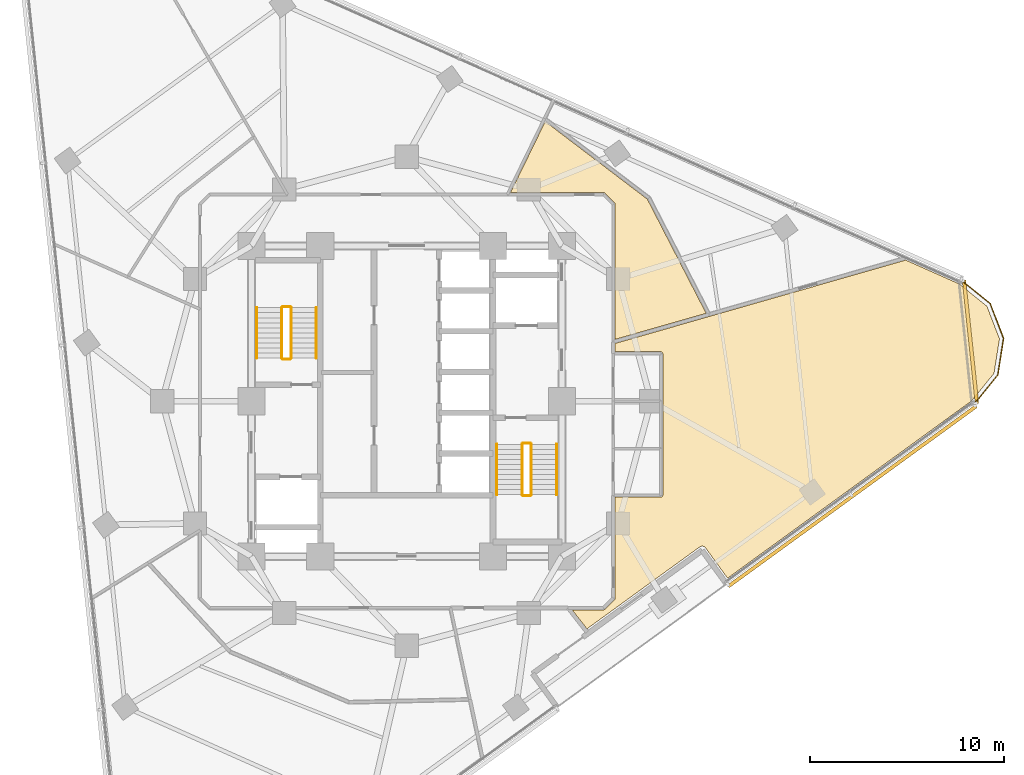
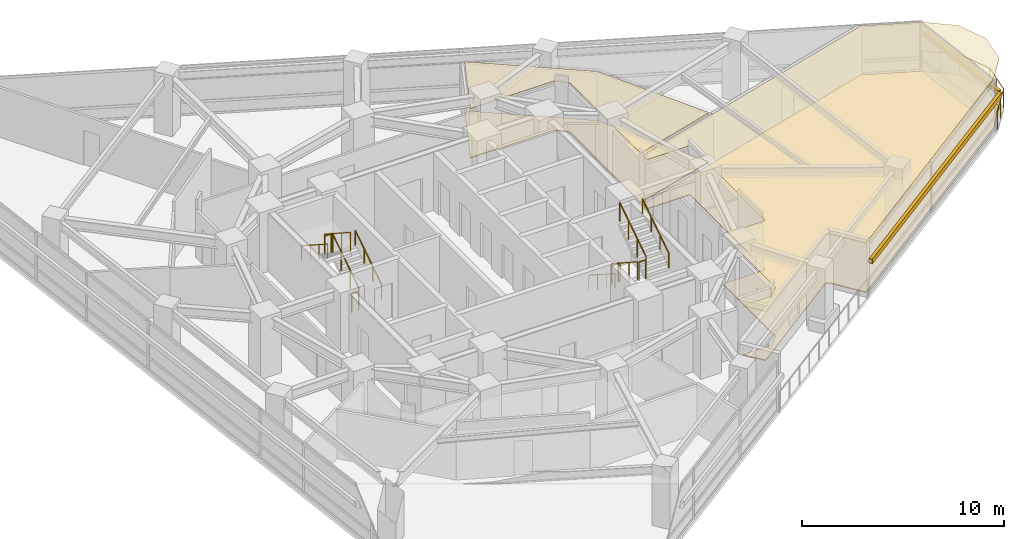
# One storey, part 13 of 14: 13 railings, 4 coverings, 2 shading devices.
"""IFC4 building model written with IfcOpenShell, lengths in metres."""

import ifcopenshell
import ifcopenshell.guid

model = None  # the IFC model being written
_history = None  # IfcOwnerHistory: only IFC2X3 demands one
_inside = {}  # id of a spatial element -> (the spatial element, [elements in it])
_under = {}  # id of a project, library or spatial element -> (it, [spatial elements below it])
_declared = {}  # id of a project -> (the project, [libraries it declares])
_typed = {}  # id of a type object -> (the type object, [elements of that type])
_made_of = {}  # id of a material, layer set ... -> (it, [elements and type objects made of it])


def new_model(schema):
    """Start an empty IFC model of exactly this schema.

    Asked for "IFC4X3", IfcOpenShell would pick the latest addendum, in which some entities
    have other attributes; the version numbers below select the first issue.
    IFC2X3 requires an IfcOwnerHistory on every rooted entity: one is made here for all.
    """
    global model, _history
    if schema == "IFC4X3":
        model = ifcopenshell.file(schema_version=(4, 3, 0, 0))
    else:
        model = ifcopenshell.file(schema=schema)
    _inside.clear()
    _under.clear()
    _declared.clear()
    _typed.clear()
    _made_of.clear()
    _history = None
    if model.schema == "IFC2X3":
        org = make("IfcOrganization", Name="unknown")
        user = make(
            "IfcPersonAndOrganization",
            ThePerson=make("IfcPerson", FamilyName="unknown"),
            TheOrganization=org,
        )
        app = make(
            "IfcApplication",
            ApplicationDeveloper=org,
            Version="unknown",
            ApplicationFullName="unknown",
            ApplicationIdentifier="unknown",
        )
        _history = make(
            "IfcOwnerHistory",
            OwningUser=user,
            OwningApplication=app,
            ChangeAction="ADDED",
            CreationDate=0,
        )
    return model


def make(cls, **values):
    """One entity of the class cls with the attributes given. An attribute that is None is left unset."""
    return model.create_entity(
        cls, **{name: value for name, value in values.items() if value is not None}
    )


def rooted(cls, **values):
    """An entity with a GlobalId (a new one), such as an element, a storey or a relation."""
    return make(cls, GlobalId=ifcopenshell.guid.new(), OwnerHistory=_history, **values)


def si_unit(unit_type, name, prefix=None):
    """IfcSIUnit, for example si_unit("LENGTHUNIT", "METRE", prefix="MILLI")."""
    return make("IfcSIUnit", UnitType=unit_type, Prefix=prefix, Name=name)


def assignment(units):
    """IfcUnitAssignment: the units of a project."""
    return None if units is None else make("IfcUnitAssignment", Units=units)


def point(xyz):
    """IfcCartesianPoint."""
    return None if xyz is None else make("IfcCartesianPoint", Coordinates=xyz)


def direction(xyz):
    """IfcDirection."""
    return None if xyz is None else make("IfcDirection", DirectionRatios=xyz)


def frame(location, z_axis=None, x_axis=None):
    """IfcAxis2Placement3D, a coordinate frame: its origin and axes. An axis left out is left unset."""
    return make(
        "IfcAxis2Placement3D",
        Location=point(location),
        Axis=direction(z_axis),
        RefDirection=direction(x_axis),
    )


def frame_2d(location, x_axis=None):
    """IfcAxis2Placement2D, a coordinate frame in the plane: its origin and x axis."""
    return make(
        "IfcAxis2Placement2D", Location=point(location), RefDirection=direction(x_axis)
    )


def origin():
    """The frame at (0, 0, 0) with its axes left unset."""
    return frame((0.0, 0.0, 0.0))


def origin_2d():
    """The frame at (0, 0) in the plane with its x axis left unset."""
    return frame_2d((0.0, 0.0))


def place(relative_to, where):
    """IfcLocalPlacement: puts the frame where relative to a parent placement (None: the world)."""
    return make(
        "IfcLocalPlacement", PlacementRelTo=relative_to, RelativePlacement=where
    )


def context(
    kind, dimensions, precision=None, world=None, true_north=None, identifier=None
):
    """IfcGeometricRepresentationContext, for example the 3D "Model" context."""
    return make(
        "IfcGeometricRepresentationContext",
        ContextIdentifier=identifier,
        ContextType=kind,
        CoordinateSpaceDimension=dimensions,
        Precision=precision,
        WorldCoordinateSystem=world,
        TrueNorth=true_north,
    )


def subcontext(parent, identifier, kind, view, scale=None):
    """IfcGeometricRepresentationSubContext, for example "Body" below "Model"."""
    return make(
        "IfcGeometricRepresentationSubContext",
        ContextIdentifier=identifier,
        ContextType=kind,
        ParentContext=parent,
        TargetScale=scale,
        TargetView=view,
    )


def project(units=None, contexts=None):
    """IfcProject with its units and contexts."""
    return rooted(
        "IfcProject",
        Name="project",
        RepresentationContexts=contexts,
        UnitsInContext=assignment(units),
    )


def spatial(cls, under=None, at=None, **own):
    """A site, building, storey or space (cls), placed at a placement, below another one or the project."""
    s = rooted(cls, ObjectPlacement=at, **own)
    if under is not None:
        _under.setdefault(under.id(), (under, []))[1].append(s)
    return s


def polyline(points):
    """IfcPolyline through the points."""
    return make("IfcPolyline", Points=[point(p) for p in points])


def profile(cls, at=None, kind="AREA", **sizes):
    """A parametric profile (cls). Its sizes go by their IFC names, for example OverallWidth=200.0."""
    return make(cls, ProfileType=kind, Position=at, **sizes)


def rectangle(**sizes):
    """IfcRectangleProfileDef."""
    return profile("IfcRectangleProfileDef", **sizes)


def circle(**sizes):
    """IfcCircleProfileDef."""
    return profile("IfcCircleProfileDef", **sizes)


def outline(outer, holes=None, kind="AREA"):
    """IfcArbitraryClosedProfileDef: a profile drawn as a closed curve; with holes, ...WithVoids."""
    if holes is None:
        return make("IfcArbitraryClosedProfileDef", ProfileType=kind, OuterCurve=outer)
    return make(
        "IfcArbitraryProfileDefWithVoids",
        ProfileType=kind,
        OuterCurve=outer,
        InnerCurves=holes,
    )


def extrude(swept, where, along, depth):
    """IfcExtrudedAreaSolid: the profile swept, set in the frame where, extruded along a direction by depth."""
    return make(
        "IfcExtrudedAreaSolid",
        SweptArea=swept,
        Position=where,
        ExtrudedDirection=direction(along),
        Depth=depth,
    )


def shape(context_of_items, identifier, shape_type, items):
    """IfcShapeRepresentation: the items that make up one representation, for example the "Body"."""
    return make(
        "IfcShapeRepresentation",
        ContextOfItems=context_of_items,
        RepresentationIdentifier=identifier,
        RepresentationType=shape_type,
        Items=items,
    )


def material(Name=None, Category=None):
    """IfcMaterial."""
    return make("IfcMaterial", Name=Name, Category=Category)


def layer(
    of_material, thickness, ventilated=None, Name=None, Category=None, Priority=None
):
    """IfcMaterialLayer: one layer of a wall or slab, of a material (None: an air gap)."""
    return make(
        "IfcMaterialLayer",
        Material=of_material,
        LayerThickness=thickness,
        IsVentilated=ventilated,
        Name=Name,
        Category=Category,
        Priority=Priority,
    )


def layer_set(layers, Name=None):
    """IfcMaterialLayerSet."""
    return make("IfcMaterialLayerSet", MaterialLayers=layers, LayerSetName=Name)


def made_of(thing, what):
    """Note that an element or type object is made of a material, layer set ...; save() writes the relation."""
    if what is not None:
        _made_of.setdefault(what.id(), (what, []))[1].append(thing)
    return thing


def type_object(cls, material=None, **own):
    """A type object (cls), such as IfcWallType, which elements share."""
    return made_of(rooted(cls, **own), material)


def element(
    cls,
    number,
    at=None,
    inside=None,
    cuts=None,
    type_object=None,
    material=None,
    context=None,
    identifier="Body",
    shape_type=None,
    held_by="IfcProductDefinitionShape",
    body=None,
    shapes=None,
    **own,
):
    """One element of the class cls, such as IfcWall. Its Tag is "e" and its number.

    at: its placement. inside: the storey or other place that contains it. cuts: it is an
    opening in that element (IfcRelVoidsElement). A single representation is given by context,
    identifier, shape_type and body (its items); several are given by shapes. held_by: the class
    of the entity that holds the representations. save() writes the other relations.
    """
    e = rooted(cls, Tag="e%d" % number, ObjectPlacement=at, **own)
    if body is not None:
        shapes = [shape(context, identifier, shape_type, body)]
    if shapes is not None:
        e.Representation = make(held_by, Representations=shapes)
    if inside is not None:
        _inside.setdefault(inside.id(), (inside, []))[1].append(e)
    if cuts is not None:
        rooted(
            "IfcRelVoidsElement", RelatingBuildingElement=cuts, RelatedOpeningElement=e
        )
    if type_object is not None:
        _typed.setdefault(type_object.id(), (type_object, []))[1].append(e)
    return made_of(e, material)


def aggregate(whole, parts):
    """IfcRelAggregates: a whole, such as a stair, and the parts it consists of."""
    return rooted("IfcRelAggregates", RelatingObject=whole, RelatedObjects=parts)


def save(model, path):
    """Write the relations noted so far, then the file.

    IfcRelAggregates (storeys below a building ...), IfcRelContainedInSpatialStructure (elements
    in a storey), IfcRelDefinesByType, IfcRelAssociatesMaterial and IfcRelDeclares: one each for
    every whole, place, type object, material and project.
    """
    for whole, parts in _under.values():
        aggregate(whole, parts)
    for where, things in _inside.values():
        rooted(
            "IfcRelContainedInSpatialStructure",
            RelatedElements=things,
            RelatingStructure=where,
        )
    for kind, things in _typed.values():
        rooted("IfcRelDefinesByType", RelatedObjects=things, RelatingType=kind)
    for what, things in _made_of.values():
        rooted("IfcRelAssociatesMaterial", RelatedObjects=things, RelatingMaterial=what)
    for by, libraries in _declared.values():
        rooted("IfcRelDeclares", RelatingContext=by, RelatedDefinitions=libraries)
    model.write(path)


model = new_model("IFC4")

# Units and contexts
model_context = context("Model", 3, precision=1e-05, world=origin(), true_north=direction((0.0, 1.0)))
body_context = subcontext(model_context, "Body", "Model", "MODEL_VIEW")
ifc_project = project(units=[si_unit("LENGTHUNIT", "METRE"), si_unit("AREAUNIT", "SQUARE_METRE"), si_unit("VOLUMEUNIT", "CUBIC_METRE"), si_unit("PLANEANGLEUNIT", "RADIAN"), si_unit("MASSUNIT", "GRAM", prefix="KILO")], contexts=[model_context])

# Site, building, storey
site_placement = place(None, origin())
site = spatial("IfcSite", under=ifc_project, at=site_placement, CompositionType="ELEMENT")
building_placement = place(site_placement, origin())
building = spatial("IfcBuilding", under=site, at=building_placement, Name="Terralouvre Media Tower", CompositionType="ELEMENT")
storey_placement = place(building_placement, frame((0.0, 0.0, 158.300048828125)))
storey = spatial("IfcBuildingStorey", under=building, at=storey_placement, Name="L40", CompositionType="ELEMENT", Elevation=158.300048828125)

# Coverings
ifc_material_1 = material(Name="Resilient elastomer acoustic broadcast studio flooring")
ifc_layer_1 = layer(ifc_material_1, 0.050048828125, Name="Broadcast Studio Acoustic Floating Floor FL-AC1")
ifc_layer_set_1 = layer_set([ifc_layer_1], Name="Resilient elastomer acoustic broadcast studio flooring")
covering_type_1 = type_object("IfcCoveringType", Name="Broadcast Studio Acoustic Floating Floor FL-AC1", PredefinedType="FLOORING", material=ifc_layer_set_1)
covering_1_placement = place(storey_placement, frame((0.0, 0.0, 0.0), z_axis=(0.0, 0.0, 1.0), x_axis=(0.809016994375, 0.587785252292, 0.0)))
element("IfcCovering", 1, at=covering_1_placement, inside=storey, type_object=covering_type_1, Name="L40 Preview Screening Cinema 5 Acoustic Floating Floor", PredefinedType="FLOORING", context=body_context, shape_type="SweptSolid", body=[
    extrude(outline(polyline([(10.44775390625, -3.908935546875), (10.19580078125, -4.255615234375), (12.096923828125, -5.636962890625), (12.1044921875, -5.64306640625), (12.111572265625, -5.64990234375), (12.117919921875, -5.657470703125), (12.12353515625, -5.665771484375), (12.128173828125, -5.67431640625), (12.132080078125, -5.683349609375), (12.135009765625, -5.692626953125), (12.136962890625, -5.7021484375), (12.137939453125, -5.712158203125), (12.13818359375, -5.7216796875), (12.13720703125, -5.731689453125), (12.135498046875, -5.7412109375), (12.132568359375, -5.750732421875), (12.12890625, -5.759765625), (12.12451171875, -5.7685546875), (12.119140625, -5.776611328125), (7.828369140625, -11.6826171875), (7.822021484375, -11.690185546875), (7.815185546875, -11.697265625), (7.807861328125, -11.703369140625), (7.799560546875, -11.708984375), (7.791015625, -11.713623046875), (7.781982421875, -11.717529296875), (7.772705078125, -11.720458984375), (7.762939453125, -11.722412109375), (7.753173828125, -11.7236328125), (7.743408203125, -11.7236328125), (7.733642578125, -11.72265625), (7.72412109375, -11.720947265625), (7.714599609375, -11.71826171875), (7.70556640625, -11.714599609375), (7.69677734375, -11.7099609375), (7.6884765625, -11.70458984375), (5.787353515625, -10.3232421875), (2.73095703125, -14.5302734375), (2.724853515625, -14.537841796875), (2.718017578125, -14.544921875), (2.71044921875, -14.55126953125), (2.7021484375, -14.556640625), (2.693603515625, -14.561279296875), (2.6845703125, -14.565185546875), (2.67529296875, -14.568115234375), (2.665771484375, -14.570068359375), (1.96728515625, -14.680908203125), (1.95751953125, -14.681884765625), (1.94775390625, -14.681884765625), (1.93798828125, -14.68115234375), (1.92822265625, -14.67919921875), (1.918701171875, -14.676513671875), (1.90966796875, -14.6728515625), (1.901123046875, -14.668212890625), (1.892822265625, -14.662841796875), (0.5791015625, -13.70849609375), (0.62255859375, -14.95556640625), (7.800537109375, -14.955322265625), (7.809326171875, -14.955810546875), (7.82080078125, -14.956787109375), (7.828369140625, -14.957763671875), (7.839599609375, -14.95947265625), (7.843017578125, -14.960205078125), (7.85498046875, -14.962646484375), (7.86279296875, -14.96435546875), (7.870361328125, -14.967041015625), (7.881103515625, -14.97119140625), (7.890380859375, -14.97509765625), (7.901123046875, -14.980712890625), (7.908447265625, -14.984619140625), (7.918701171875, -14.99072265625), (7.925537109375, -14.995361328125), (7.9345703125, -15.001953125), (7.94091796875, -15.007080078125), (7.9501953125, -15.014892578125), (7.9560546875, -15.0205078125), (7.964599609375, -15.029052734375), (7.970703125, -15.035888671875), (7.976318359375, -15.04345703125), (7.98291015625, -15.052978515625), (7.98681640625, -15.059814453125), (7.992919921875, -15.0703125), (7.99462890625, -15.073486328125), (7.999755859375, -15.08349609375), (8.005615234375, -15.096923828125), (8.009521484375, -15.1083984375), (8.010986328125, -15.11328125), (8.01416015625, -15.124267578125), (8.016357421875, -15.133056640625), (8.017578125, -15.14208984375), (8.018798828125, -15.154052734375), (8.019287109375, -15.16064453125), (8.01953125, -15.172119140625), (8.019775390625, -15.17529296875), (8.0205078125, -17.10546875), (23.571044921875, -17.105224609375), (25.335693359375, -16.63232421875), (26.60693359375, -15.36181640625), (27.072509765625, -13.6259765625), (26.598876953125, -11.860595703125), (25.084228515625, -9.236328125), (15.1982421875, -5.63818359375), (10.44775390625, -3.908935546875)])), origin(), (0.0, 0.0, 1.0), 0.050048828125),
])
covering_2_placement = place(storey_placement, frame((0.0, 0.0, 0.0), z_axis=(0.0, 0.0, 1.0), x_axis=(0.809016994375, 0.587785252292, 0.0)))
element("IfcCovering", 2, at=covering_2_placement, inside=storey, type_object=covering_type_1, Name="L40 Acoustic Music Listening Room 7 Acoustic Floating Floor", PredefinedType="FLOORING", context=body_context, shape_type="SweptSolid", body=[
    extrude(outline(polyline([(16.158203125, 1.129150390625), (14.251708984375, 7.46435546875), (10.650146484375, 5.5498046875), (14.5302734375, 2.73095703125), (14.537841796875, 2.724853515625), (14.544921875, 2.718017578125), (14.55126953125, 2.71044921875), (14.556640625, 2.7021484375), (14.561279296875, 2.693603515625), (14.565185546875, 2.6845703125), (14.568115234375, 2.67529296875), (14.570068359375, 2.665771484375), (14.680908203125, 1.96728515625), (14.681884765625, 1.95751953125), (14.681884765625, 1.94775390625), (14.68115234375, 1.93798828125), (14.67919921875, 1.92822265625), (14.676513671875, 1.918701171875), (14.6728515625, 1.90966796875), (14.668212890625, 1.901123046875), (14.662841796875, 1.892822265625), (10.570068359375, -3.740478515625), (15.152099609375, -5.408447265625), (16.158203125, 1.129150390625)])), origin(), (0.0, 0.0, 1.0), 0.050048828125),
])
ifc_material_2 = material(Name="Perforated aluminium acoustic ceiling baffle", Category="aluminium")
ifc_layer_2 = layer(ifc_material_2, 0.0400390625, Name="Perforated Acoustic Metal Tile Ceiling CL-AC1")
ifc_layer_set_2 = layer_set([ifc_layer_2], Name="Perforated aluminium acoustic ceiling baffle")
covering_type_2 = type_object("IfcCoveringType", Name="Perforated Acoustic Metal Tile Ceiling CL-AC1", PredefinedType="CEILING", material=ifc_layer_set_2)
covering_3_placement = place(storey_placement, frame((0.0, 0.0, 2.97998046875), z_axis=(0.0, 0.0, 1.0), x_axis=(0.809016994375, 0.587785252292, 0.0)))
element("IfcCovering", 3, at=covering_3_placement, inside=storey, type_object=covering_type_2, Name="L40 Preview Screening Cinema 5 Acoustic Ceiling", PredefinedType="CEILING", context=body_context, shape_type="SweptSolid", body=[
    extrude(outline(polyline([(10.44775390625, -3.908935546875), (10.19580078125, -4.255615234375), (12.096923828125, -5.636962890625), (12.1044921875, -5.64306640625), (12.111572265625, -5.64990234375), (12.117919921875, -5.657470703125), (12.12353515625, -5.665771484375), (12.128173828125, -5.67431640625), (12.132080078125, -5.683349609375), (12.135009765625, -5.692626953125), (12.136962890625, -5.7021484375), (12.137939453125, -5.712158203125), (12.13818359375, -5.7216796875), (12.13720703125, -5.731689453125), (12.135498046875, -5.7412109375), (12.132568359375, -5.750732421875), (12.12890625, -5.759765625), (12.12451171875, -5.7685546875), (12.119140625, -5.776611328125), (7.828369140625, -11.6826171875), (7.822021484375, -11.690185546875), (7.815185546875, -11.697265625), (7.807861328125, -11.703369140625), (7.799560546875, -11.708984375), (7.791015625, -11.713623046875), (7.781982421875, -11.717529296875), (7.772705078125, -11.720458984375), (7.762939453125, -11.722412109375), (7.753173828125, -11.7236328125), (7.743408203125, -11.7236328125), (7.733642578125, -11.72265625), (7.72412109375, -11.720947265625), (7.714599609375, -11.71826171875), (7.70556640625, -11.714599609375), (7.69677734375, -11.7099609375), (7.6884765625, -11.70458984375), (5.787353515625, -10.3232421875), (2.73095703125, -14.5302734375), (2.724853515625, -14.537841796875), (2.718017578125, -14.544921875), (2.71044921875, -14.55126953125), (2.7021484375, -14.556640625), (2.693603515625, -14.561279296875), (2.6845703125, -14.565185546875), (2.67529296875, -14.568115234375), (2.665771484375, -14.570068359375), (1.96728515625, -14.680908203125), (1.95751953125, -14.681884765625), (1.94775390625, -14.681884765625), (1.93798828125, -14.68115234375), (1.92822265625, -14.67919921875), (1.918701171875, -14.676513671875), (1.90966796875, -14.6728515625), (1.901123046875, -14.668212890625), (1.892822265625, -14.662841796875), (0.5791015625, -13.70849609375), (0.62255859375, -14.95556640625), (7.800537109375, -14.955322265625), (7.809326171875, -14.955810546875), (7.82080078125, -14.956787109375), (7.828369140625, -14.957763671875), (7.839599609375, -14.95947265625), (7.843017578125, -14.960205078125), (7.85498046875, -14.962646484375), (7.86279296875, -14.96435546875), (7.870361328125, -14.967041015625), (7.881103515625, -14.97119140625), (7.890380859375, -14.97509765625), (7.901123046875, -14.980712890625), (7.908447265625, -14.984619140625), (7.918701171875, -14.99072265625), (7.925537109375, -14.995361328125), (7.9345703125, -15.001953125), (7.94091796875, -15.007080078125), (7.9501953125, -15.014892578125), (7.9560546875, -15.0205078125), (7.964599609375, -15.029052734375), (7.970703125, -15.035888671875), (7.976318359375, -15.04345703125), (7.98291015625, -15.052978515625), (7.98681640625, -15.059814453125), (7.992919921875, -15.0703125), (7.99462890625, -15.073486328125), (7.999755859375, -15.08349609375), (8.005615234375, -15.096923828125), (8.009521484375, -15.1083984375), (8.010986328125, -15.11328125), (8.01416015625, -15.124267578125), (8.016357421875, -15.133056640625), (8.017578125, -15.14208984375), (8.018798828125, -15.154052734375), (8.019287109375, -15.16064453125), (8.01953125, -15.172119140625), (8.019775390625, -15.17529296875), (8.0205078125, -17.10546875), (23.571044921875, -17.105224609375), (25.335693359375, -16.63232421875), (26.60693359375, -15.36181640625), (27.072509765625, -13.6259765625), (26.598876953125, -11.860595703125), (25.084228515625, -9.236328125), (15.1982421875, -5.63818359375), (10.44775390625, -3.908935546875)])), origin(), (0.0, 0.0, 1.0), 0.0400390625),
])
covering_4_placement = place(storey_placement, frame((0.0, 0.0, 2.97998046875), z_axis=(0.0, 0.0, 1.0), x_axis=(0.809016994375, 0.587785252292, 0.0)))
element("IfcCovering", 4, at=covering_4_placement, inside=storey, type_object=covering_type_2, Name="L40 Acoustic Music Listening Room 7 Acoustic Ceiling", PredefinedType="CEILING", context=body_context, shape_type="SweptSolid", body=[
    extrude(outline(polyline([(16.158203125, 1.129150390625), (14.251708984375, 7.46435546875), (10.650146484375, 5.5498046875), (14.5302734375, 2.73095703125), (14.537841796875, 2.724853515625), (14.544921875, 2.718017578125), (14.55126953125, 2.71044921875), (14.556640625, 2.7021484375), (14.561279296875, 2.693603515625), (14.565185546875, 2.6845703125), (14.568115234375, 2.67529296875), (14.570068359375, 2.665771484375), (14.680908203125, 1.96728515625), (14.681884765625, 1.95751953125), (14.681884765625, 1.94775390625), (14.68115234375, 1.93798828125), (14.67919921875, 1.92822265625), (14.676513671875, 1.918701171875), (14.6728515625, 1.90966796875), (14.668212890625, 1.901123046875), (14.662841796875, 1.892822265625), (10.570068359375, -3.740478515625), (15.152099609375, -5.408447265625), (16.158203125, 1.129150390625)])), origin(), (0.0, 0.0, 1.0), 0.0400390625),
])

# Railings
ifc_material_3 = material(Name="Stainless steel 316 handrail and balustrade", Category="steel")
ifc_layer_3 = layer(ifc_material_3, 0.06005859375, Name="Roof Edge Safety Guardrail GR-ROOF1")
ifc_layer_set_3 = layer_set([ifc_layer_3], Name="Stainless steel 316 handrail and balustrade")
railing_type_1 = type_object("IfcRailingType", Name="Roof Edge Safety Guardrail GR-ROOF1", PredefinedType="GUARDRAIL", material=ifc_layer_set_3)
railing_1_placement = place(storey_placement, frame((29.261474609375, -0.144775390625, 0.0)))
element("IfcRailing", 5, at=railing_1_placement, inside=storey, type_object=railing_type_1, Name="L40 Wind-Corner Perimeter Safety Guardrail C1", PredefinedType="GUARDRAIL", context=body_context, shape_type="SweptSolid", body=[
    extrude(circle(Radius=0.02099609375, at=origin_2d()), frame((0.0, 0.0, 1.12890625), z_axis=(0.629487951206, 0.777010244004, 0.0), x_axis=(-0.777010244004, 0.629487951206, 0.0)), (0.0, 0.0, 1.0), 1.914794921875),
    extrude(circle(Radius=0.02099609375, at=origin_2d()), frame((1.205322265625, 1.48779296875, 1.12890625), z_axis=(0.156493053434, 0.987679059324, 0.0), x_axis=(-0.987679059324, 0.156493053434, 0.0)), (0.0, 0.0, 1.0), 1.914306640625),
    extrude(circle(Radius=0.02099609375, at=origin_2d()), frame((1.5048828125, 3.37841796875, 1.12890625), z_axis=(-0.358380762009, 0.933575508152, 0.0), x_axis=(-0.933575508152, -0.358380762009, 0.0)), (0.0, 0.0, 1.0), 1.914306640625),
    extrude(circle(Radius=0.02099609375, at=origin_2d()), frame((0.81884765625, 5.16552734375, 1.12890625), z_axis=(-0.777298317119, 0.629132200896, 0.0), x_axis=(-0.629132200896, -0.777298317119, 0.0)), (0.0, 0.0, 1.0), 1.914794921875),
    extrude(circle(Radius=0.01904296875, at=origin_2d()), origin(), (0.0, 0.0, 1.0), 1.10791015625),
    extrude(circle(Radius=0.01904296875, at=origin_2d()), frame((0.6025390625, 0.743896484375, 0.0)), (0.0, 0.0, 1.0), 1.10791015625),
    extrude(circle(Radius=0.01904296875, at=origin_2d()), frame((1.205322265625, 1.48779296875, 0.0)), (0.0, 0.0, 1.0), 1.10791015625),
    extrude(circle(Radius=0.01904296875, at=origin_2d()), frame((1.35498046875, 2.43310546875, 0.0)), (0.0, 0.0, 1.0), 1.10791015625),
    extrude(circle(Radius=0.01904296875, at=origin_2d()), frame((1.5048828125, 3.37841796875, 0.0)), (0.0, 0.0, 1.0), 1.10791015625),
    extrude(circle(Radius=0.01904296875, at=origin_2d()), frame((1.161865234375, 4.27197265625, 0.0)), (0.0, 0.0, 1.0), 1.10791015625),
    extrude(circle(Radius=0.01904296875, at=origin_2d()), frame((0.81884765625, 5.16552734375, 0.0)), (0.0, 0.0, 1.0), 1.10791015625),
    extrude(circle(Radius=0.01904296875, at=origin_2d()), frame((0.07470703125, 5.767822265625, 0.0)), (0.0, 0.0, 1.0), 1.10791015625),
    extrude(circle(Radius=0.01904296875, at=origin_2d()), frame((-0.66943359375, 6.3701171875, 0.0)), (0.0, 0.0, 1.0), 1.10791015625),
])
ifc_material_4 = material(Name="Stainless steel 316 handrail and balustrade", Category="steel")
ifc_layer_4 = layer(ifc_material_4, 0.050048828125, Name="Stair Flight Wall Handrail HR-INT1")
ifc_layer_set_4 = layer_set([ifc_layer_4], Name="Stainless steel 316 handrail and balustrade")
railing_type_2 = type_object("IfcRailingType", Name="Stair Flight Wall Handrail HR-INT1", PredefinedType="HANDRAIL", material=ifc_layer_set_4)
railing_2_placement = place(storey_placement, frame((-4.64990234375, 2.219970703125, 0.168212890625)))
element("IfcRailing", 6, at=railing_2_placement, inside=storey, type_object=railing_type_2, Name="L40 ST-01 stair handrail 1", PredefinedType="HANDRAIL", context=body_context, shape_type="SweptSolid", body=[
    extrude(circle(Radius=0.02392578125, at=origin_2d()), frame((0.0, 0.0, 0.8759765625), z_axis=(0.0, 0.839684365666, 0.543074733399), x_axis=(-1.0, 0.0, 0.0)), (0.0, 0.0, 1.0), 3.096435546875),
    extrude(circle(Radius=0.02099609375, at=origin_2d()), origin(), (0.0, 0.0, 1.0), 0.851806640625),
    extrude(circle(Radius=0.02099609375, at=origin_2d()), frame((0.0, 0.86669921875, 0.560546875)), (0.0, 0.0, 1.0), 0.851806640625),
    extrude(circle(Radius=0.02099609375, at=origin_2d()), frame((0.0, 1.7333984375, 1.12109375)), (0.0, 0.0, 1.0), 0.851806640625),
    extrude(circle(Radius=0.02099609375, at=origin_2d()), frame((0.0, 2.60009765625, 1.681640625)), (0.0, 0.0, 1.0), 0.851806640625),
])
railing_3_placement = place(storey_placement, frame((-7.72998046875, 4.820068359375, 2.01806640625)))
element("IfcRailing", 7, at=railing_3_placement, inside=storey, type_object=railing_type_2, Name="L40 ST-01 stair handrail 2", PredefinedType="HANDRAIL", context=body_context, shape_type="SweptSolid", body=[
    extrude(circle(Radius=0.02392578125, at=origin_2d()), frame((0.0, 0.0, 0.8759765625), z_axis=(0.0, -0.839648411786, 0.543130320075), x_axis=(1.0, 0.0, 0.0)), (0.0, 0.0, 1.0), 3.0966796875),
    extrude(circle(Radius=0.02099609375, at=origin_2d()), origin(), (0.0, 0.0, 1.0), 0.851806640625),
    extrude(circle(Radius=0.02099609375, at=origin_2d()), frame((0.0, -0.86669921875, 0.560546875)), (0.0, 0.0, 1.0), 0.851806640625),
    extrude(circle(Radius=0.02099609375, at=origin_2d()), frame((0.0, -1.7333984375, 1.121337890625)), (0.0, 0.0, 1.0), 0.851806640625),
    extrude(circle(Radius=0.02099609375, at=origin_2d()), frame((0.0, -2.60009765625, 1.681884765625)), (0.0, 0.0, 1.0), 0.851806640625),
])
railing_4_placement = place(storey_placement, frame((4.64990234375, -2.219970703125, 0.168212890625)))
element("IfcRailing", 8, at=railing_4_placement, inside=storey, type_object=railing_type_2, Name="L40 ST-02 stair handrail 1", PredefinedType="HANDRAIL", context=body_context, shape_type="SweptSolid", body=[
    extrude(circle(Radius=0.02392578125, at=origin_2d()), frame((0.0, 0.0, 0.8759765625), z_axis=(0.0, -0.839684365666, 0.543074733399), x_axis=(1.0, 0.0, 0.0)), (0.0, 0.0, 1.0), 3.096435546875),
    extrude(circle(Radius=0.02099609375, at=origin_2d()), origin(), (0.0, 0.0, 1.0), 0.851806640625),
    extrude(circle(Radius=0.02099609375, at=origin_2d()), frame((0.0, -0.86669921875, 0.560546875)), (0.0, 0.0, 1.0), 0.851806640625),
    extrude(circle(Radius=0.02099609375, at=origin_2d()), frame((0.0, -1.7333984375, 1.12109375)), (0.0, 0.0, 1.0), 0.851806640625),
    extrude(circle(Radius=0.02099609375, at=origin_2d()), frame((0.0, -2.60009765625, 1.681640625)), (0.0, 0.0, 1.0), 0.851806640625),
])
railing_5_placement = place(storey_placement, frame((7.72998046875, -4.820068359375, 2.01806640625)))
element("IfcRailing", 9, at=railing_5_placement, inside=storey, type_object=railing_type_2, Name="L40 ST-02 stair handrail 2", PredefinedType="HANDRAIL", context=body_context, shape_type="SweptSolid", body=[
    extrude(circle(Radius=0.02392578125, at=origin_2d()), frame((0.0, 0.0, 0.8759765625), z_axis=(0.0, 0.839648411786, 0.543130320075), x_axis=(-1.0, 0.0, 0.0)), (0.0, 0.0, 1.0), 3.0966796875),
    extrude(circle(Radius=0.02099609375, at=origin_2d()), origin(), (0.0, 0.0, 1.0), 0.851806640625),
    extrude(circle(Radius=0.02099609375, at=origin_2d()), frame((0.0, 0.86669921875, 0.560546875)), (0.0, 0.0, 1.0), 0.851806640625),
    extrude(circle(Radius=0.02099609375, at=origin_2d()), frame((0.0, 1.7333984375, 1.121337890625)), (0.0, 0.0, 1.0), 0.851806640625),
    extrude(circle(Radius=0.02099609375, at=origin_2d()), frame((0.0, 2.60009765625, 1.681884765625)), (0.0, 0.0, 1.0), 0.851806640625),
])
ifc_material_5 = material(Name="Stainless steel 316 handrail and balustrade", Category="steel")
ifc_layer_5 = layer(ifc_material_5, 0.050048828125, Name="Stairwell Safety Guardrail GR-INT1")
ifc_layer_set_5 = layer_set([ifc_layer_5], Name="Stainless steel 316 handrail and balustrade")
railing_type_3 = type_object("IfcRailingType", Name="Stairwell Safety Guardrail GR-INT1", PredefinedType="GUARDRAIL", material=ifc_layer_set_5)
railing_6_placement = place(storey_placement, frame((-5.949951171875, 2.219970703125, 0.168212890625)))
element("IfcRailing", 10, at=railing_6_placement, inside=storey, type_object=railing_type_3, Name="L40 ST-01 stair guard 1", PredefinedType="GUARDRAIL", context=body_context, shape_type="SweptSolid", body=[
    extrude(circle(Radius=0.02392578125, at=origin_2d()), frame((0.0, 0.0, 1.1259765625), z_axis=(0.0, 0.839684365666, 0.543074733399), x_axis=(-1.0, 0.0, 0.0)), (0.0, 0.0, 1.0), 3.096435546875),
    extrude(circle(Radius=0.02099609375, at=origin_2d()), origin(), (0.0, 0.0, 1.0), 1.101806640625),
    extrude(circle(Radius=0.02099609375, at=origin_2d()), frame((0.0, 0.86669921875, 0.560546875)), (0.0, 0.0, 1.0), 1.101806640625),
    extrude(circle(Radius=0.02099609375, at=origin_2d()), frame((0.0, 1.7333984375, 1.12109375)), (0.0, 0.0, 1.0), 1.101806640625),
    extrude(circle(Radius=0.02099609375, at=origin_2d()), frame((0.0, 2.60009765625, 1.681640625)), (0.0, 0.0, 1.0), 1.101806640625),
])
railing_7_placement = place(storey_placement, frame((-6.0, 4.8701171875, 1.849853515625)))
element("IfcRailing", 11, at=railing_7_placement, inside=storey, type_object=railing_type_3, Name="L40 ST-01 stair guard 2", PredefinedType="GUARDRAIL", context=body_context, shape_type="SweptSolid", body=[
    extrude(circle(Radius=0.02392578125, at=origin_2d()), frame((0.0, 0.0, 1.1259765625), z_axis=(-1.0, 0.0, 0.0), x_axis=(0.0, -1.0, 0.0)), (0.0, 0.0, 1.0), 0.3798828125),
    extrude(circle(Radius=0.02099609375, at=origin_2d()), origin(), (0.0, 0.0, 1.0), 1.101806640625),
    extrude(circle(Radius=0.02099609375, at=origin_2d()), frame((-0.3798828125, 0.0, 0.0)), (0.0, 0.0, 1.0), 1.101806640625),
])
railing_8_placement = place(storey_placement, frame((-6.429931640625, 4.820068359375, 2.01806640625)))
element("IfcRailing", 12, at=railing_8_placement, inside=storey, type_object=railing_type_3, Name="L40 ST-01 stair guard 3", PredefinedType="GUARDRAIL", context=body_context, shape_type="SweptSolid", body=[
    extrude(circle(Radius=0.02392578125, at=origin_2d()), frame((0.0, 0.0, 1.1259765625), z_axis=(0.0, -0.839648411786, 0.543130320075), x_axis=(1.0, 0.0, 0.0)), (0.0, 0.0, 1.0), 3.0966796875),
    extrude(circle(Radius=0.02099609375, at=origin_2d()), origin(), (0.0, 0.0, 1.0), 1.101806640625),
    extrude(circle(Radius=0.02099609375, at=origin_2d()), frame((0.0, -0.86669921875, 0.560546875)), (0.0, 0.0, 1.0), 1.101806640625),
    extrude(circle(Radius=0.02099609375, at=origin_2d()), frame((0.0, -1.7333984375, 1.121337890625)), (0.0, 0.0, 1.0), 1.101806640625),
    extrude(circle(Radius=0.02099609375, at=origin_2d()), frame((0.0, -2.60009765625, 1.681884765625)), (0.0, 0.0, 1.0), 1.101806640625),
])
railing_9_placement = place(storey_placement, frame((-6.0, 2.169921875, 0.0)))
element("IfcRailing", 13, at=railing_9_placement, inside=storey, type_object=railing_type_3, Name="L40 ST-01 stair guard 4", PredefinedType="GUARDRAIL", context=body_context, shape_type="SweptSolid", body=[
    extrude(circle(Radius=0.02392578125, at=origin_2d()), frame((0.0, 0.0, 1.1259765625), z_axis=(-1.0, 0.0, 0.0), x_axis=(0.0, -1.0, 0.0)), (0.0, 0.0, 1.0), 0.3798828125),
    extrude(circle(Radius=0.02099609375, at=origin_2d()), origin(), (0.0, 0.0, 1.0), 1.101806640625),
    extrude(circle(Radius=0.02099609375, at=origin_2d()), frame((-0.3798828125, 0.0, 0.0)), (0.0, 0.0, 1.0), 1.101806640625),
])
railing_10_placement = place(storey_placement, frame((5.949951171875, -2.219970703125, 0.168212890625)))
element("IfcRailing", 14, at=railing_10_placement, inside=storey, type_object=railing_type_3, Name="L40 ST-02 stair guard 1", PredefinedType="GUARDRAIL", context=body_context, shape_type="SweptSolid", body=[
    extrude(circle(Radius=0.02392578125, at=origin_2d()), frame((0.0, 0.0, 1.1259765625), z_axis=(0.0, -0.839684365666, 0.543074733399), x_axis=(1.0, 0.0, 0.0)), (0.0, 0.0, 1.0), 3.096435546875),
    extrude(circle(Radius=0.02099609375, at=origin_2d()), origin(), (0.0, 0.0, 1.0), 1.101806640625),
    extrude(circle(Radius=0.02099609375, at=origin_2d()), frame((0.0, -0.86669921875, 0.560546875)), (0.0, 0.0, 1.0), 1.101806640625),
    extrude(circle(Radius=0.02099609375, at=origin_2d()), frame((0.0, -1.7333984375, 1.12109375)), (0.0, 0.0, 1.0), 1.101806640625),
    extrude(circle(Radius=0.02099609375, at=origin_2d()), frame((0.0, -2.60009765625, 1.681640625)), (0.0, 0.0, 1.0), 1.101806640625),
])
railing_11_placement = place(storey_placement, frame((6.0, -4.8701171875, 1.849853515625)))
element("IfcRailing", 15, at=railing_11_placement, inside=storey, type_object=railing_type_3, Name="L40 ST-02 stair guard 2", PredefinedType="GUARDRAIL", context=body_context, shape_type="SweptSolid", body=[
    extrude(circle(Radius=0.02392578125, at=origin_2d()), frame((0.0, 0.0, 1.1259765625), z_axis=(1.0, 0.0, 0.0), x_axis=(0.0, 1.0, 0.0)), (0.0, 0.0, 1.0), 0.3798828125),
    extrude(circle(Radius=0.02099609375, at=origin_2d()), origin(), (0.0, 0.0, 1.0), 1.101806640625),
    extrude(circle(Radius=0.02099609375, at=origin_2d()), frame((0.3798828125, 0.0, 0.0)), (0.0, 0.0, 1.0), 1.101806640625),
])
railing_12_placement = place(storey_placement, frame((6.429931640625, -4.820068359375, 2.01806640625)))
element("IfcRailing", 16, at=railing_12_placement, inside=storey, type_object=railing_type_3, Name="L40 ST-02 stair guard 3", PredefinedType="GUARDRAIL", context=body_context, shape_type="SweptSolid", body=[
    extrude(circle(Radius=0.02392578125, at=origin_2d()), frame((0.0, 0.0, 1.1259765625), z_axis=(0.0, 0.839648411786, 0.543130320075), x_axis=(-1.0, 0.0, 0.0)), (0.0, 0.0, 1.0), 3.0966796875),
    extrude(circle(Radius=0.02099609375, at=origin_2d()), origin(), (0.0, 0.0, 1.0), 1.101806640625),
    extrude(circle(Radius=0.02099609375, at=origin_2d()), frame((0.0, 0.86669921875, 0.560546875)), (0.0, 0.0, 1.0), 1.101806640625),
    extrude(circle(Radius=0.02099609375, at=origin_2d()), frame((0.0, 1.7333984375, 1.121337890625)), (0.0, 0.0, 1.0), 1.101806640625),
    extrude(circle(Radius=0.02099609375, at=origin_2d()), frame((0.0, 2.60009765625, 1.681884765625)), (0.0, 0.0, 1.0), 1.101806640625),
])
railing_13_placement = place(storey_placement, frame((6.0, -2.169921875, 0.0)))
element("IfcRailing", 17, at=railing_13_placement, inside=storey, type_object=railing_type_3, Name="L40 ST-02 stair guard 4", PredefinedType="GUARDRAIL", context=body_context, shape_type="SweptSolid", body=[
    extrude(circle(Radius=0.02392578125, at=origin_2d()), frame((0.0, 0.0, 1.1259765625), z_axis=(1.0, 0.0, 0.0), x_axis=(0.0, 1.0, 0.0)), (0.0, 0.0, 1.0), 0.3798828125),
    extrude(circle(Radius=0.02099609375, at=origin_2d()), origin(), (0.0, 0.0, 1.0), 1.101806640625),
    extrude(circle(Radius=0.02099609375, at=origin_2d()), frame((0.3798828125, 0.0, 0.0)), (0.0, 0.0, 1.0), 1.101806640625),
])

# Shading devices
ifc_material_6 = material(Name="Extruded terracotta baguette sunshade louvres", Category="masonry")
shading_device_type = type_object("IfcShadingDeviceType", Name="Terracotta Baguette Sunshade Louvre Screen TB-LV1", PredefinedType="USERDEFINED", material=ifc_material_6)
shading_device_1_placement = place(storey_placement, frame((22.967529296875, -4.901611328125, 2.02392578125), z_axis=(0.0, 0.0, 1.0), x_axis=(0.809016635256, 0.587785746577, 0.0)))
element("IfcShadingDevice", 18, at=shading_device_1_placement, inside=storey, type_object=shading_device_type, Name="CW-L40-F0R Terracotta Baguette Sunshade Louvre", ObjectType="BAGUETTE", PredefinedType="USERDEFINED", context=body_context, shape_type="SweptSolid", body=[
    extrude(rectangle(XDim=15.800048828125, YDim=0.179931640625, at=origin_2d()), origin(), (0.0, 0.0, 1.0), 0.280029296875),
])
shading_device_2_placement = place(storey_placement, frame((29.060791015625, 3.054443359375, 2.02392578125), z_axis=(0.0, 0.0, 1.0), x_axis=(-0.10452850319, 0.994521891172, 0.0)))
element("IfcShadingDevice", 19, at=shading_device_2_placement, inside=storey, type_object=shading_device_type, Name="CW-L40-C1 Terracotta Baguette Sunshade Louvre", ObjectType="BAGUETTE", PredefinedType="USERDEFINED", context=body_context, shape_type="SweptSolid", body=[
    extrude(rectangle(XDim=6.40869140625, YDim=0.179931640625, at=origin_2d()), origin(), (0.0, 0.0, 1.0), 0.280029296875),
])

save(model, "model.ifc")
